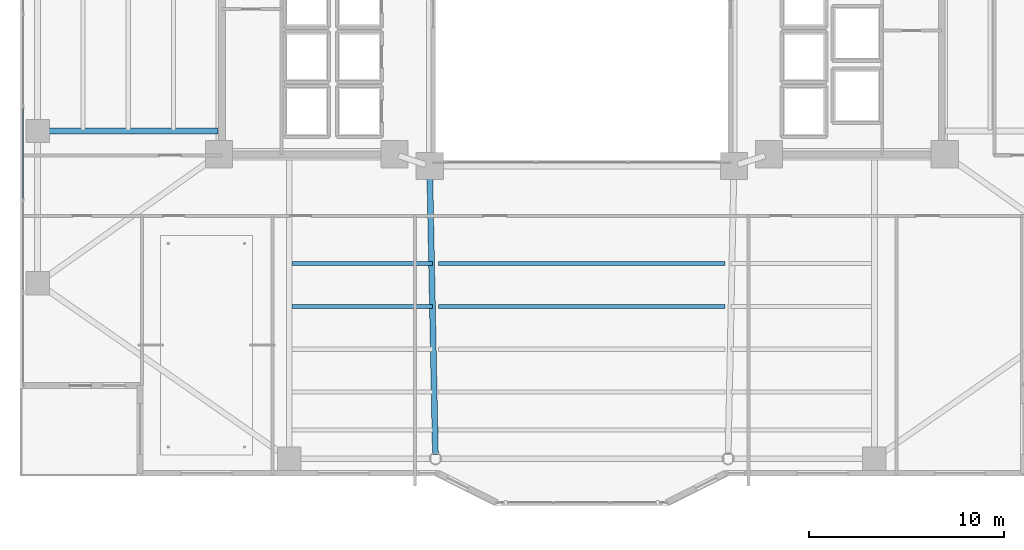
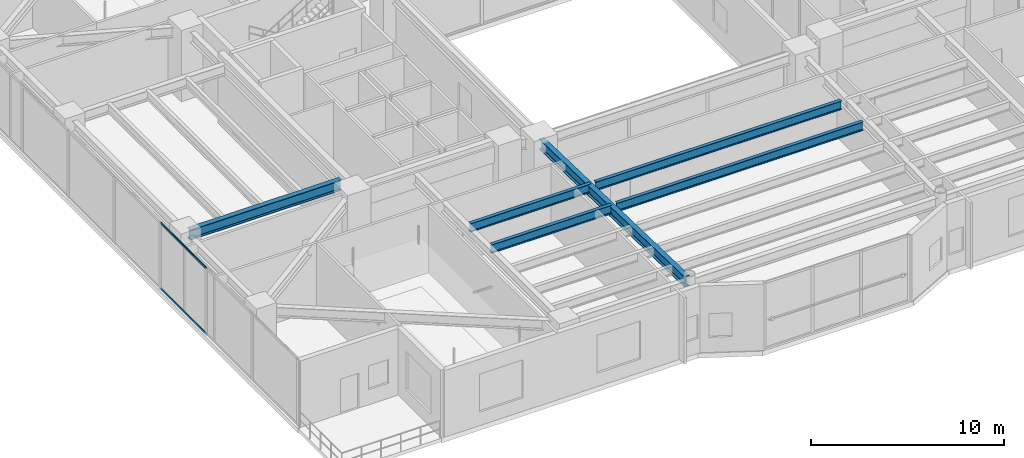
# One storey, part 5 of 40: 6 beams, 2 members, 1 element without a shape of its own.
"""IFC4 building model written with IfcOpenShell, lengths in metres."""

from ifc_helpers import new_model, si_unit, direction, frame, origin, origin_2d, place, context, subcontext, project, spatial, hollow_rectangle, i_section, extrude, material, layer, layer_set, material_profile, profile_set, type_object, element, aggregate, save


model = new_model("IFC4")

# Units and contexts
model_context = context("Model", 3, precision=1e-05, world=origin(), true_north=direction((0.0, 1.0)))
body_context = subcontext(model_context, "Body", "Model", "MODEL_VIEW")
ifc_project = project(units=[si_unit("LENGTHUNIT", "METRE"), si_unit("AREAUNIT", "SQUARE_METRE"), si_unit("VOLUMEUNIT", "CUBIC_METRE"), si_unit("PLANEANGLEUNIT", "RADIAN"), si_unit("MASSUNIT", "GRAM", prefix="KILO")], contexts=[model_context])

# Site, building, storey
site_placement = place(None, origin())
site = spatial("IfcSite", under=ifc_project, at=site_placement, CompositionType="ELEMENT")
building_placement = place(site_placement, origin())
building = spatial("IfcBuilding", under=site, at=building_placement, Name="Tarnavaz Court Tower", CompositionType="ELEMENT")
storey_placement = place(building_placement, frame((0.0, 0.0, 64.199951171875)))
storey = spatial("IfcBuildingStorey", under=building, at=storey_placement, Name="L17", CompositionType="ELEMENT", Elevation=64.199951171875)

# Beams
ifc_material_1 = material(Name="Steel S355", Category="steel")
ifc_material_profile_1 = material_profile(ifc_material_1, i_section(OverallWidth=0.300048828125, OverallDepth=0.64990234375, WebThickness=0.01611328125, FlangeThickness=0.031005859375, FilletRadius=0.027099609375, at=origin_2d()), Name="HEB 650")
ifc_profile_set_1 = profile_set([ifc_material_profile_1], Name="Steel S355")
beam_type_1 = type_object("IfcBeamType", Name="BM-G-HEB650", PredefinedType="USERDEFINED", material=ifc_profile_set_1)
beam_1_placement = place(storey_placement, frame((-7.795654296875, -8.02001953125, 3.875), z_axis=(0.020000023066, -0.999799979535, 0.0), x_axis=(0.999799979535, 0.020000023066, 0.0)))
element("IfcBeam", 1, at=beam_1_placement, inside=storey, type_object=beam_type_1, Name="L17 Beam RG-06", ObjectType="GIRDER", PredefinedType="USERDEFINED", context=body_context, shape_type="SweptSolid", body=[
    extrude(i_section(OverallWidth=0.300048828125, OverallDepth=0.64990234375, WebThickness=0.01611328125, FlangeThickness=0.031005859375, FilletRadius=0.027099609375, at=origin_2d()), origin(), (0.0, 0.0, 1.0), 14.56298828125),
])
beam_2_placement = place(storey_placement, frame((-18.639892578125, -6.0, 3.875), z_axis=(-1.0, 0.0, 0.0), x_axis=(0.0, -1.0, 0.0)))
element("IfcBeam", 2, at=beam_2_placement, inside=storey, type_object=beam_type_1, Name="L17 Beam RG-13", ObjectType="GIRDER", PredefinedType="USERDEFINED", context=body_context, shape_type="SweptSolid", body=[
    extrude(i_section(OverallWidth=0.300048828125, OverallDepth=0.64990234375, WebThickness=0.01611328125, FlangeThickness=0.031005859375, FilletRadius=0.027099609375, at=origin_2d()), origin(), (0.0, 0.0, 1.0), 9.0400390625),
])
ifc_material_profile_2 = material_profile(ifc_material_1, i_section(OverallWidth=0.2099609375, OverallDepth=0.550048828125, WebThickness=0.010986328125, FlangeThickness=0.01708984375, FilletRadius=0.02392578125, at=origin_2d()), Name="IPE 550")
ifc_profile_set_2 = profile_set([ifc_material_profile_2], Name="Steel S355")
beam_type_2 = type_object("IfcBeamType", Name="BM-J-IPE550", PredefinedType="JOIST", material=ifc_profile_set_2)
beam_3_placement = place(storey_placement, frame((-14.85009765625, -12.7958984375, 3.925048828125), z_axis=(1.0, 0.0, 0.0), x_axis=(0.0, 1.0, 0.0)))
element("IfcBeam", 3, at=beam_3_placement, inside=storey, type_object=beam_type_2, Name="L17 Beam JS1-1", PredefinedType="JOIST", context=body_context, shape_type="SweptSolid", body=[
    extrude(i_section(OverallWidth=0.2099609375, OverallDepth=0.550048828125, WebThickness=0.010986328125, FlangeThickness=0.01708984375, FilletRadius=0.02392578125, at=origin_2d()), origin(), (0.0, 0.0, 1.0), 7.2001953125),
])
beam_4_placement = place(storey_placement, frame((-7.35009765625, -12.7958984375, 3.925048828125), z_axis=(1.0, 0.0, 0.0), x_axis=(0.0, 1.0, 0.0)))
element("IfcBeam", 4, at=beam_4_placement, inside=storey, type_object=beam_type_2, Name="L17 Beam JS1-2", PredefinedType="JOIST", context=body_context, shape_type="SweptSolid", body=[
    extrude(i_section(OverallWidth=0.2099609375, OverallDepth=0.550048828125, WebThickness=0.010986328125, FlangeThickness=0.01708984375, FilletRadius=0.02392578125, at=origin_2d()), origin(), (0.0, 0.0, 1.0), 14.7001953125),
])
beam_5_placement = place(storey_placement, frame((-14.85009765625, -14.991943359375, 3.925048828125), z_axis=(1.0, 0.0, 0.0), x_axis=(0.0, 1.0, 0.0)))
element("IfcBeam", 5, at=beam_5_placement, inside=storey, type_object=beam_type_2, Name="L17 Beam JS2-1", PredefinedType="JOIST", context=body_context, shape_type="SweptSolid", body=[
    extrude(i_section(OverallWidth=0.2099609375, OverallDepth=0.550048828125, WebThickness=0.010986328125, FlangeThickness=0.01708984375, FilletRadius=0.02392578125, at=origin_2d()), origin(), (0.0, 0.0, 1.0), 7.2001953125),
])
beam_6_placement = place(storey_placement, frame((-7.35009765625, -14.991943359375, 3.925048828125), z_axis=(1.0, 0.0, 0.0), x_axis=(0.0, 1.0, 0.0)))
element("IfcBeam", 6, at=beam_6_placement, inside=storey, type_object=beam_type_2, Name="L17 Beam JS2-2", PredefinedType="JOIST", context=body_context, shape_type="SweptSolid", body=[
    extrude(i_section(OverallWidth=0.2099609375, OverallDepth=0.550048828125, WebThickness=0.010986328125, FlangeThickness=0.01708984375, FilletRadius=0.02392578125, at=origin_2d()), origin(), (0.0, 0.0, 1.0), 14.7001953125),
])

# Curtain wall, members
ifc_material_2 = material(Name="Anodised Aluminium 6063-T6 and Solar Low-E Glazing", Category="aluminium")
ifc_layer = layer(ifc_material_2, 0.199951171875)
ifc_layer_set = layer_set([ifc_layer], Name="Anodised Aluminium 6063-T6 and Solar Low-E Glazing")
curtain_wall_type = type_object("IfcCurtainWallType", Name="CW-SYS-05", PredefinedType="NOTDEFINED", material=ifc_layer_set)
curtain_wall_placement = place(storey_placement, origin())
curtain_wall = element("IfcCurtainWall", 7, at=curtain_wall_placement, inside=storey, type_object=curtain_wall_type, Name="L17 Sky-Portal Curtain Wall 2", PredefinedType="NOTDEFINED")
ifc_material_3 = material(Name="Anodised Aluminium 6063-T6", Category="aluminium")
ifc_material_profile_3 = material_profile(ifc_material_3, hollow_rectangle(XDim=0.06494140625, YDim=0.139892578125, WallThickness=0.00390625, InnerFilletRadius=0.00390625, OuterFilletRadius=0.008056640625, at=origin_2d()), Name="ALU RHS 140X65X4")
ifc_profile_set_3 = profile_set([ifc_material_profile_3], Name="Anodised Aluminium 6063-T6")
member_type = type_object("IfcMemberType", Name="CW-TRN-140", PredefinedType="USERDEFINED", material=ifc_profile_set_3)
member_1_placement = place(storey_placement, frame((-28.64990234375, -9.482421875, 0.032470703125), z_axis=(0.0, 1.0, 0.0), x_axis=(-1.0, 0.0, 0.0)))
member_1 = element("IfcMember", 8, at=member_1_placement, type_object=member_type, Name="CW transom 3.1", ObjectType="TRANSOM", PredefinedType="USERDEFINED", context=body_context, shape_type="SweptSolid", body=[
    extrude(hollow_rectangle(XDim=0.06494140625, YDim=0.139892578125, WallThickness=0.00390625, InnerFilletRadius=0.00390625, OuterFilletRadius=0.008056640625, at=origin_2d()), origin(), (0.0, 0.0, 1.0), 4.677490234375),
])
member_2_placement = place(storey_placement, frame((-28.64990234375, -9.482421875, 4.16748046875), z_axis=(0.0, 1.0, 0.0), x_axis=(-1.0, 0.0, 0.0)))
member_2 = element("IfcMember", 9, at=member_2_placement, type_object=member_type, Name="CW transom 3.2", ObjectType="TRANSOM", PredefinedType="USERDEFINED", context=body_context, shape_type="SweptSolid", body=[
    extrude(hollow_rectangle(XDim=0.06494140625, YDim=0.139892578125, WallThickness=0.00390625, InnerFilletRadius=0.00390625, OuterFilletRadius=0.008056640625, at=origin_2d()), origin(), (0.0, 0.0, 1.0), 4.677490234375),
])
aggregate(curtain_wall, [member_1, member_2])

save(model, "model.ifc")
